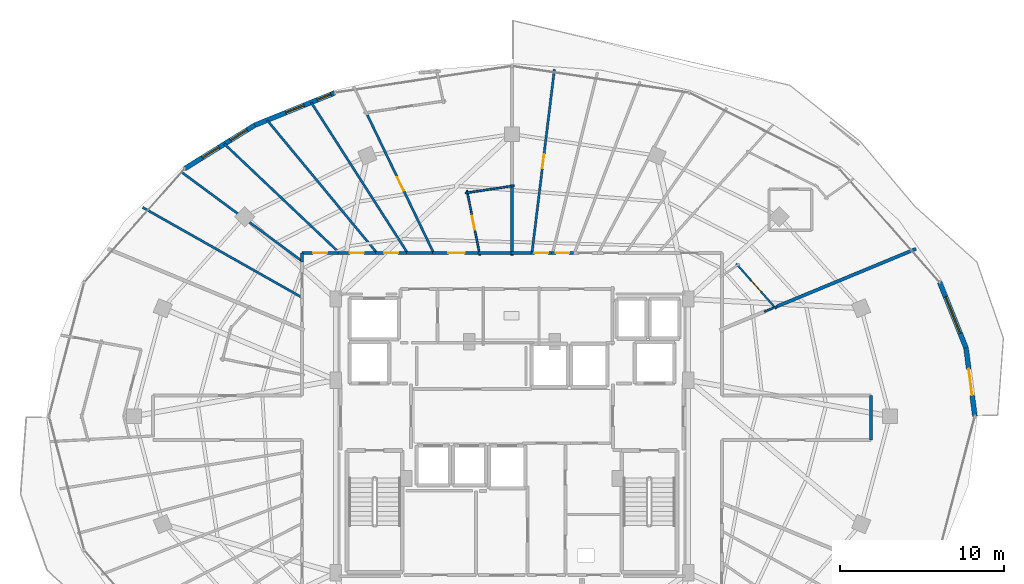
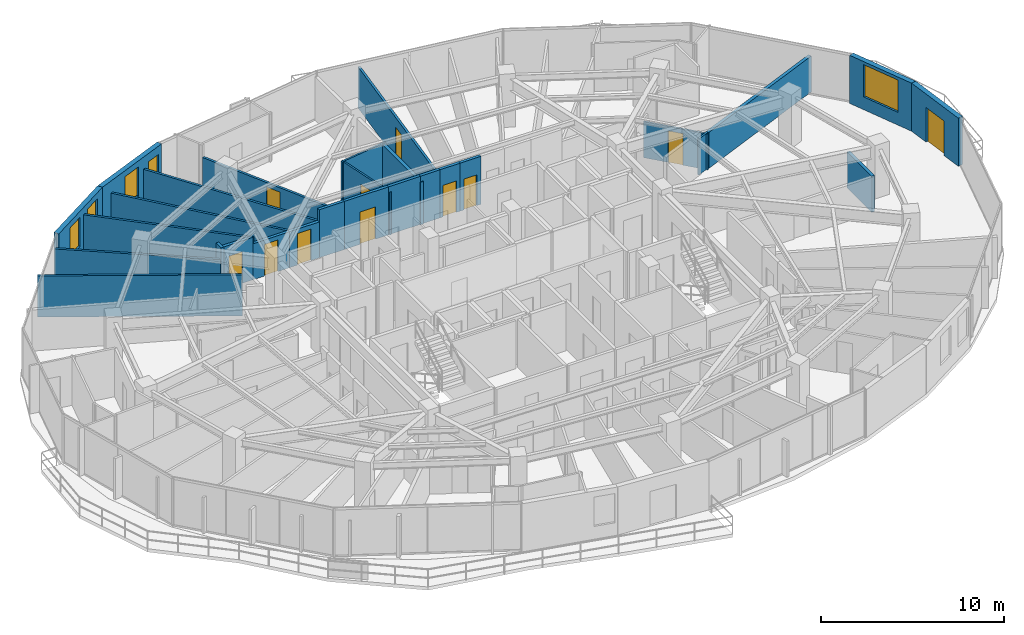
# One storey, part 29 of 33: 28 walls, 11 doors, 5 windows, 16 openings.
"""IFC4 building model written with IfcOpenShell, lengths in metres."""

import ifcopenshell
import ifcopenshell.guid

model = None  # the IFC model being written
_history = None  # IfcOwnerHistory: only IFC2X3 demands one
_inside = {}  # id of a spatial element -> (the spatial element, [elements in it])
_under = {}  # id of a project, library or spatial element -> (it, [spatial elements below it])
_declared = {}  # id of a project -> (the project, [libraries it declares])
_typed = {}  # id of a type object -> (the type object, [elements of that type])
_made_of = {}  # id of a material, layer set ... -> (it, [elements and type objects made of it])


def new_model(schema):
    """Start an empty IFC model of exactly this schema.

    Asked for "IFC4X3", IfcOpenShell would pick the latest addendum, in which some entities
    have other attributes; the version numbers below select the first issue.
    IFC2X3 requires an IfcOwnerHistory on every rooted entity: one is made here for all.
    """
    global model, _history
    if schema == "IFC4X3":
        model = ifcopenshell.file(schema_version=(4, 3, 0, 0))
    else:
        model = ifcopenshell.file(schema=schema)
    _inside.clear()
    _under.clear()
    _declared.clear()
    _typed.clear()
    _made_of.clear()
    _history = None
    if model.schema == "IFC2X3":
        org = make("IfcOrganization", Name="unknown")
        user = make(
            "IfcPersonAndOrganization",
            ThePerson=make("IfcPerson", FamilyName="unknown"),
            TheOrganization=org,
        )
        app = make(
            "IfcApplication",
            ApplicationDeveloper=org,
            Version="unknown",
            ApplicationFullName="unknown",
            ApplicationIdentifier="unknown",
        )
        _history = make(
            "IfcOwnerHistory",
            OwningUser=user,
            OwningApplication=app,
            ChangeAction="ADDED",
            CreationDate=0,
        )
    return model


def make(cls, **values):
    """One entity of the class cls with the attributes given. An attribute that is None is left unset."""
    return model.create_entity(
        cls, **{name: value for name, value in values.items() if value is not None}
    )


def rooted(cls, **values):
    """An entity with a GlobalId (a new one), such as an element, a storey or a relation."""
    return make(cls, GlobalId=ifcopenshell.guid.new(), OwnerHistory=_history, **values)


def si_unit(unit_type, name, prefix=None):
    """IfcSIUnit, for example si_unit("LENGTHUNIT", "METRE", prefix="MILLI")."""
    return make("IfcSIUnit", UnitType=unit_type, Prefix=prefix, Name=name)


def assignment(units):
    """IfcUnitAssignment: the units of a project."""
    return None if units is None else make("IfcUnitAssignment", Units=units)


def point(xyz):
    """IfcCartesianPoint."""
    return None if xyz is None else make("IfcCartesianPoint", Coordinates=xyz)


def direction(xyz):
    """IfcDirection."""
    return None if xyz is None else make("IfcDirection", DirectionRatios=xyz)


def frame(location, z_axis=None, x_axis=None):
    """IfcAxis2Placement3D, a coordinate frame: its origin and axes. An axis left out is left unset."""
    return make(
        "IfcAxis2Placement3D",
        Location=point(location),
        Axis=direction(z_axis),
        RefDirection=direction(x_axis),
    )


def frame_2d(location, x_axis=None):
    """IfcAxis2Placement2D, a coordinate frame in the plane: its origin and x axis."""
    return make(
        "IfcAxis2Placement2D", Location=point(location), RefDirection=direction(x_axis)
    )


def origin():
    """The frame at (0, 0, 0) with its axes left unset."""
    return frame((0.0, 0.0, 0.0))


def place(relative_to, where):
    """IfcLocalPlacement: puts the frame where relative to a parent placement (None: the world)."""
    return make(
        "IfcLocalPlacement", PlacementRelTo=relative_to, RelativePlacement=where
    )


def context(
    kind, dimensions, precision=None, world=None, true_north=None, identifier=None
):
    """IfcGeometricRepresentationContext, for example the 3D "Model" context."""
    return make(
        "IfcGeometricRepresentationContext",
        ContextIdentifier=identifier,
        ContextType=kind,
        CoordinateSpaceDimension=dimensions,
        Precision=precision,
        WorldCoordinateSystem=world,
        TrueNorth=true_north,
    )


def subcontext(parent, identifier, kind, view, scale=None):
    """IfcGeometricRepresentationSubContext, for example "Body" below "Model"."""
    return make(
        "IfcGeometricRepresentationSubContext",
        ContextIdentifier=identifier,
        ContextType=kind,
        ParentContext=parent,
        TargetScale=scale,
        TargetView=view,
    )


def project(units=None, contexts=None):
    """IfcProject with its units and contexts."""
    return rooted(
        "IfcProject",
        Name="project",
        RepresentationContexts=contexts,
        UnitsInContext=assignment(units),
    )


def spatial(cls, under=None, at=None, **own):
    """A site, building, storey or space (cls), placed at a placement, below another one or the project."""
    s = rooted(cls, ObjectPlacement=at, **own)
    if under is not None:
        _under.setdefault(under.id(), (under, []))[1].append(s)
    return s


def profile(cls, at=None, kind="AREA", **sizes):
    """A parametric profile (cls). Its sizes go by their IFC names, for example OverallWidth=200.0."""
    return make(cls, ProfileType=kind, Position=at, **sizes)


def rectangle(**sizes):
    """IfcRectangleProfileDef."""
    return profile("IfcRectangleProfileDef", **sizes)


def extrude(swept, where, along, depth):
    """IfcExtrudedAreaSolid: the profile swept, set in the frame where, extruded along a direction by depth."""
    return make(
        "IfcExtrudedAreaSolid",
        SweptArea=swept,
        Position=where,
        ExtrudedDirection=direction(along),
        Depth=depth,
    )


def shape(context_of_items, identifier, shape_type, items):
    """IfcShapeRepresentation: the items that make up one representation, for example the "Body"."""
    return make(
        "IfcShapeRepresentation",
        ContextOfItems=context_of_items,
        RepresentationIdentifier=identifier,
        RepresentationType=shape_type,
        Items=items,
    )


def material(Name=None, Category=None):
    """IfcMaterial."""
    return make("IfcMaterial", Name=Name, Category=Category)


def layer(
    of_material, thickness, ventilated=None, Name=None, Category=None, Priority=None
):
    """IfcMaterialLayer: one layer of a wall or slab, of a material (None: an air gap)."""
    return make(
        "IfcMaterialLayer",
        Material=of_material,
        LayerThickness=thickness,
        IsVentilated=ventilated,
        Name=Name,
        Category=Category,
        Priority=Priority,
    )


def layer_set(layers, Name=None):
    """IfcMaterialLayerSet."""
    return make("IfcMaterialLayerSet", MaterialLayers=layers, LayerSetName=Name)


def made_of(thing, what):
    """Note that an element or type object is made of a material, layer set ...; save() writes the relation."""
    if what is not None:
        _made_of.setdefault(what.id(), (what, []))[1].append(thing)
    return thing


def type_object(cls, material=None, **own):
    """A type object (cls), such as IfcWallType, which elements share."""
    return made_of(rooted(cls, **own), material)


def element(
    cls,
    number,
    at=None,
    inside=None,
    cuts=None,
    type_object=None,
    material=None,
    context=None,
    identifier="Body",
    shape_type=None,
    held_by="IfcProductDefinitionShape",
    body=None,
    shapes=None,
    **own,
):
    """One element of the class cls, such as IfcWall. Its Tag is "e" and its number.

    at: its placement. inside: the storey or other place that contains it. cuts: it is an
    opening in that element (IfcRelVoidsElement). A single representation is given by context,
    identifier, shape_type and body (its items); several are given by shapes. held_by: the class
    of the entity that holds the representations. save() writes the other relations.
    """
    e = rooted(cls, Tag="e%d" % number, ObjectPlacement=at, **own)
    if body is not None:
        shapes = [shape(context, identifier, shape_type, body)]
    if shapes is not None:
        e.Representation = make(held_by, Representations=shapes)
    if inside is not None:
        _inside.setdefault(inside.id(), (inside, []))[1].append(e)
    if cuts is not None:
        rooted(
            "IfcRelVoidsElement", RelatingBuildingElement=cuts, RelatedOpeningElement=e
        )
    if type_object is not None:
        _typed.setdefault(type_object.id(), (type_object, []))[1].append(e)
    return made_of(e, material)


def fill(opening, filler):
    """IfcRelFillsElement: the door or window that sits in an opening."""
    return rooted(
        "IfcRelFillsElement",
        RelatingOpeningElement=opening,
        RelatedBuildingElement=filler,
    )


def aggregate(whole, parts):
    """IfcRelAggregates: a whole, such as a stair, and the parts it consists of."""
    return rooted("IfcRelAggregates", RelatingObject=whole, RelatedObjects=parts)


def save(model, path):
    """Write the relations noted so far, then the file.

    IfcRelAggregates (storeys below a building ...), IfcRelContainedInSpatialStructure (elements
    in a storey), IfcRelDefinesByType, IfcRelAssociatesMaterial and IfcRelDeclares: one each for
    every whole, place, type object, material and project.
    """
    for whole, parts in _under.values():
        aggregate(whole, parts)
    for where, things in _inside.values():
        rooted(
            "IfcRelContainedInSpatialStructure",
            RelatedElements=things,
            RelatingStructure=where,
        )
    for kind, things in _typed.values():
        rooted("IfcRelDefinesByType", RelatedObjects=things, RelatingType=kind)
    for what, things in _made_of.values():
        rooted("IfcRelAssociatesMaterial", RelatedObjects=things, RelatingMaterial=what)
    for by, libraries in _declared.values():
        rooted("IfcRelDeclares", RelatingContext=by, RelatedDefinitions=libraries)
    model.write(path)


model = new_model("IFC4")

# Units and contexts
model_context = context("Model", 3, precision=1e-05, world=origin(), true_north=direction((0.0, 1.0)))
body_context = subcontext(model_context, "Body", "Model", "MODEL_VIEW")
ifc_project = project(units=[si_unit("LENGTHUNIT", "METRE"), si_unit("AREAUNIT", "SQUARE_METRE"), si_unit("VOLUMEUNIT", "CUBIC_METRE"), si_unit("PLANEANGLEUNIT", "RADIAN"), si_unit("MASSUNIT", "GRAM", prefix="KILO")], contexts=[model_context])

# Site, building, storey
site_placement = place(None, origin())
site = spatial("IfcSite", under=ifc_project, at=site_placement, CompositionType="ELEMENT")
building_placement = place(site_placement, origin())
building = spatial("IfcBuilding", under=site, at=building_placement, Name="Vorneva Point Tower", CompositionType="ELEMENT")
storey_placement = place(building_placement, frame((0.0, 0.0, 221.39990234375)))
storey = spatial("IfcBuildingStorey", under=building, at=storey_placement, Name="L60", CompositionType="ELEMENT", Elevation=221.39990234375)

# Wall, opening, door
ifc_material_1 = material(Name="Precast concrete B50 (C40/50)", Category="concrete")
ifc_layer_1 = layer(ifc_material_1, 0.300048828125)
ifc_layer_set_1 = layer_set([ifc_layer_1], Name="Precast concrete B50 (C40/50)")
wall_type_1 = type_object("IfcWallType", Name="WL-EXT-300", PredefinedType="STANDARD", material=ifc_layer_set_1)
wall_1_placement = place(storey_placement, frame((66.22998046875, 26.0, 0.0), z_axis=(0.0, 0.0, 1.0), x_axis=(-0.129147853268, 0.991625348605, 0.0)))
wall_1 = element("IfcWall", 1, at=wall_1_placement, inside=storey, type_object=wall_type_1, Name="L60 Pale-Metal Facade Spandrel Wall 01.1", PredefinedType="STANDARD", context=body_context, shape_type="SweptSolid", body=[
    extrude(rectangle(XDim=4.200439453125, YDim=0.300048828125, at=frame_2d((2.10009765625, 0.0))), origin(), (0.0, 0.0, 1.0), 3.2001953125),
])
opening_1_placement = place(wall_1_placement, frame((1.30029296875, 0.0, 0.0)))
opening_1 = element("IfcOpeningElement", 2, at=opening_1_placement, cuts=wall_1, Name="Opening BD-01", PredefinedType="OPENING", context=body_context, shape_type="SweptSolid", body=[
    extrude(rectangle(XDim=1.60009765625, YDim=2.300048828125, at=frame_2d((0.800048828125, 1.14990234375))), frame((0.0, 0.1650390625, 0.0), z_axis=(0.0, -1.0, 0.0), x_axis=(1.0, 0.0, 0.0)), (0.0, 0.0, 1.0), 0.329833984375),
])
ifc_material_2 = material(Name="Pale anodised aluminium", Category="aluminium")
door_type_1 = type_object("IfcDoorType", Name="DR-BAL-1600", OperationType="SLIDING_TO_LEFT", PredefinedType="DOOR", material=ifc_material_2)
door_1_placement = place(opening_1_placement, origin())
door_1 = element("IfcDoor", 3, at=door_1_placement, inside=storey, type_object=door_type_1, Name="L60 Balcony Terrace Access Door 01", OperationType="SLIDING_TO_LEFT", OverallHeight=2.300048828125, OverallWidth=1.60009765625, PredefinedType="DOOR", context=body_context, shape_type="SweptSolid", body=[
    extrude(rectangle(XDim=1.60009765625, YDim=2.300048828125, at=frame_2d((0.800048828125, 1.14990234375))), frame((0.0, 0.02490234375, 0.0), z_axis=(0.0, -1.0, 0.0), x_axis=(1.0, 0.0, 0.0)), (0.0, 0.0, 1.0), 0.050048828125),
])
fill(opening_1, door_1)

# Wall, opening, window
wall_2_placement = place(storey_placement, frame((65.6875, 30.165283203125, 0.0), z_axis=(0.0, 0.0, 1.0), x_axis=(-0.372268409848, 0.928125116043, 0.0)))
wall_2 = element("IfcWall", 4, at=wall_2_placement, inside=storey, type_object=wall_type_1, Name="L60 Pale-Metal Facade Spandrel Wall 01.2", PredefinedType="STANDARD", context=body_context, shape_type="SweptSolid", body=[
    extrude(rectangle(XDim=4.315185546875, YDim=0.300048828125, at=frame_2d((2.15771484375, 0.0))), origin(), (0.0, 0.0, 1.0), 3.2001953125),
])
opening_2_placement = place(wall_2_placement, frame((0.95751953125, 0.0, 0.85009765625)))
opening_2 = element("IfcOpeningElement", 5, at=opening_2_placement, cuts=wall_2, Name="Opening W-03", PredefinedType="OPENING", context=body_context, shape_type="SweptSolid", body=[
    extrude(rectangle(XDim=2.39990234375, YDim=2.14990234375, at=frame_2d((1.199951171875, 1.074951171875))), frame((0.0, 0.1650390625, 0.0), z_axis=(0.0, -1.0, 0.0), x_axis=(1.0, 0.0, 0.0)), (0.0, 0.0, 1.0), 0.329833984375),
])
ifc_material_3 = material(Name="Double low-e laminated glass IGU", Category="glass")
window_type_1 = type_object("IfcWindowType", Name="WN-RES-2400", PartitioningType="SINGLE_PANEL", PredefinedType="WINDOW", material=ifc_material_3)
window_1_placement = place(opening_2_placement, origin())
window_1 = element("IfcWindow", 6, at=window_1_placement, inside=storey, type_object=window_type_1, Name="L60 Facade Window 01", OverallHeight=2.14990234375, OverallWidth=2.39990234375, PartitioningType="SINGLE_PANEL", PredefinedType="WINDOW", context=body_context, shape_type="SweptSolid", body=[
    extrude(rectangle(XDim=2.39990234375, YDim=2.14990234375, at=frame_2d((1.199951171875, 1.074951171875))), frame((0.0, 0.030029296875, 0.0), z_axis=(0.0, -1.0, 0.0), x_axis=(1.0, 0.0, 0.0)), (0.0, 0.0, 1.0), 0.06005859375),
])
fill(opening_2, window_1)

# Wall, openings, windows
wall_3_placement = place(storey_placement, frame((27.19677734375, 45.724853515625, 0.0), z_axis=(0.0, 0.0, 1.0), x_axis=(-0.927111094334, -0.374786630981, 0.0)))
wall_3 = element("IfcWall", 7, at=wall_3_placement, inside=storey, type_object=wall_type_1, Name="L60 Pale-Metal Facade Spandrel Wall 06.1", PredefinedType="STANDARD", context=body_context, shape_type="SweptSolid", body=[
    extrude(rectangle(XDim=5.26416015625, YDim=0.300048828125, at=frame_2d((2.632080078125, 0.0))), origin(), (0.0, 0.0, 1.0), 3.2001953125),
])
opening_3_placement = place(wall_3_placement, frame((0.25830078125, 0.0, 0.85009765625)))
opening_3 = element("IfcOpeningElement", 8, at=opening_3_placement, cuts=wall_3, Name="Opening W-08", PredefinedType="OPENING", context=body_context, shape_type="SweptSolid", body=[
    extrude(rectangle(XDim=0.89990234375, YDim=1.800048828125, at=frame_2d((0.449951171875, 0.89990234375))), frame((0.0, 0.1650390625, 0.0), z_axis=(0.0, -1.0, 0.0), x_axis=(1.0, 0.0, 0.0)), (0.0, 0.0, 1.0), 0.329833984375),
])
opening_4_placement = place(wall_3_placement, frame((2.031982421875, 0.0, 0.85009765625)))
opening_4 = element("IfcOpeningElement", 9, at=opening_4_placement, cuts=wall_3, Name="Opening W-04", PredefinedType="OPENING", context=body_context, shape_type="SweptSolid", body=[
    extrude(rectangle(XDim=1.199951171875, YDim=1.949951171875, at=frame_2d((0.60009765625, 0.97509765625))), frame((0.0, 0.1650390625, 0.0), z_axis=(0.0, -1.0, 0.0), x_axis=(1.0, 0.0, 0.0)), (0.0, 0.0, 1.0), 0.329833984375),
])
window_type_2 = type_object("IfcWindowType", Name="WN-CAS-900", PartitioningType="SINGLE_PANEL", PredefinedType="WINDOW", material=ifc_material_3)
window_2_placement = place(opening_3_placement, origin())
window_2 = element("IfcWindow", 10, at=window_2_placement, inside=storey, type_object=window_type_2, Name="L60 Dwelling Vision Window 01", OverallHeight=1.800048828125, OverallWidth=0.89990234375, PartitioningType="SINGLE_PANEL", PredefinedType="WINDOW", context=body_context, shape_type="SweptSolid", body=[
    extrude(rectangle(XDim=0.89990234375, YDim=1.800048828125, at=frame_2d((0.449951171875, 0.89990234375))), frame((0.0, 0.030029296875, 0.0), z_axis=(0.0, -1.0, 0.0), x_axis=(1.0, 0.0, 0.0)), (0.0, 0.0, 1.0), 0.06005859375),
])
fill(opening_3, window_2)
window_type_3 = type_object("IfcWindowType", Name="WN-RES-1200", PartitioningType="SINGLE_PANEL", PredefinedType="WINDOW", material=ifc_material_3)
window_3_placement = place(opening_4_placement, origin())
window_3 = element("IfcWindow", 11, at=window_3_placement, inside=storey, type_object=window_type_3, Name="L60 Dwelling Vision Window 02", OverallHeight=1.949951171875, OverallWidth=1.199951171875, PartitioningType="SINGLE_PANEL", PredefinedType="WINDOW", context=body_context, shape_type="SweptSolid", body=[
    extrude(rectangle(XDim=1.199951171875, YDim=1.949951171875, at=frame_2d((0.60009765625, 0.97509765625))), frame((0.0, 0.030029296875, 0.0), z_axis=(0.0, -1.0, 0.0), x_axis=(1.0, 0.0, 0.0)), (0.0, 0.0, 1.0), 0.06005859375),
])
fill(opening_4, window_3)

wall_4_placement = place(storey_placement, frame((22.31640625, 43.751953125, 0.0), z_axis=(0.0, 0.0, 1.0), x_axis=(-0.849647657754, -0.527350791858, 0.0)))
wall_4 = element("IfcWall", 12, at=wall_4_placement, inside=storey, type_object=wall_type_1, Name="L60 Pale-Metal Facade Spandrel Wall 06.2", PredefinedType="STANDARD", context=body_context, shape_type="SweptSolid", body=[
    extrude(rectangle(XDim=5.03515625, YDim=0.300048828125, at=frame_2d((2.517578125, 0.0))), origin(), (0.0, 0.0, 1.0), 3.2001953125),
])
opening_5_placement = place(wall_4_placement, frame((0.5546875, 0.0, 0.85009765625)))
opening_5 = element("IfcOpeningElement", 13, at=opening_5_placement, cuts=wall_4, Name="Opening W-04", PredefinedType="OPENING", context=body_context, shape_type="SweptSolid", body=[
    extrude(rectangle(XDim=1.199951171875, YDim=1.949951171875, at=frame_2d((0.60009765625, 0.97509765625))), frame((0.0, 0.1650390625, 0.0), z_axis=(0.0, -1.0, 0.0), x_axis=(1.0, 0.0, 0.0)), (0.0, 0.0, 1.0), 0.329833984375),
])
opening_6_placement = place(wall_4_placement, frame((2.569091796875, 0.0, 0.85009765625)))
opening_6 = element("IfcOpeningElement", 14, at=opening_6_placement, cuts=wall_4, Name="Opening W-04", PredefinedType="OPENING", context=body_context, shape_type="SweptSolid", body=[
    extrude(rectangle(XDim=1.199951171875, YDim=1.949951171875, at=frame_2d((0.60009765625, 0.97509765625))), frame((0.0, 0.1650390625, 0.0), z_axis=(0.0, -1.0, 0.0), x_axis=(1.0, 0.0, 0.0)), (0.0, 0.0, 1.0), 0.329833984375),
])
window_4_placement = place(opening_5_placement, origin())
window_4 = element("IfcWindow", 15, at=window_4_placement, inside=storey, type_object=window_type_3, Name="L60 Dwelling Vision Window 03", OverallHeight=1.949951171875, OverallWidth=1.199951171875, PartitioningType="SINGLE_PANEL", PredefinedType="WINDOW", context=body_context, shape_type="SweptSolid", body=[
    extrude(rectangle(XDim=1.199951171875, YDim=1.949951171875, at=frame_2d((0.60009765625, 0.97509765625))), frame((0.0, 0.030029296875, 0.0), z_axis=(0.0, -1.0, 0.0), x_axis=(1.0, 0.0, 0.0)), (0.0, 0.0, 1.0), 0.06005859375),
])
fill(opening_5, window_4)
window_5_placement = place(opening_6_placement, origin())
window_5 = element("IfcWindow", 16, at=window_5_placement, inside=storey, type_object=window_type_3, Name="L60 Dwelling Vision Window 04", OverallHeight=1.949951171875, OverallWidth=1.199951171875, PartitioningType="SINGLE_PANEL", PredefinedType="WINDOW", context=body_context, shape_type="SweptSolid", body=[
    extrude(rectangle(XDim=1.199951171875, YDim=1.949951171875, at=frame_2d((0.60009765625, 0.97509765625))), frame((0.0, 0.030029296875, 0.0), z_axis=(0.0, -1.0, 0.0), x_axis=(1.0, 0.0, 0.0)), (0.0, 0.0, 1.0), 0.06005859375),
])
fill(opening_6, window_5)

# Wall, opening, door
ifc_material_4 = material(Name="Fire-rated acoustic gypsum stud partition", Category="gypsum")
ifc_layer_2 = layer(ifc_material_4, 0.110107421875)
ifc_layer_set_2 = layer_set([ifc_layer_2], Name="Fire-rated acoustic gypsum stud partition")
wall_type_2 = type_object("IfcWallType", Name="WL-PART-110", PredefinedType="PARTITIONING", material=ifc_layer_set_2)
wall_5_placement = place(storey_placement, frame((51.666259765625, 35.310791015625, 0.0), z_axis=(0.0, 0.0, 1.0), x_axis=(0.662288118602, -0.749249256228, 0.0)))
wall_5 = element("IfcWall", 17, at=wall_5_placement, inside=storey, type_object=wall_type_2, Name="L60 Interior Partition 081", PredefinedType="PARTITIONING", context=body_context, shape_type="SweptSolid", body=[
    extrude(rectangle(XDim=3.705810546875, YDim=0.110107421875, at=frame_2d((1.85302734375, 0.0))), origin(), (0.0, 0.0, 1.0), 2.39208984375),
])
opening_7_placement = place(wall_5_placement, frame((1.427978515625, 0.0, 0.0)))
opening_7 = element("IfcOpeningElement", 18, at=opening_7_placement, cuts=wall_5, Name="Opening ID-02", PredefinedType="OPENING", context=body_context, shape_type="SweptSolid", body=[
    extrude(rectangle(XDim=0.85009765625, YDim=2.10009765625, at=frame_2d((0.425048828125, 1.050048828125))), frame((0.0, 0.06982421875, 0.0), z_axis=(0.0, -1.0, 0.0), x_axis=(1.0, 0.0, 0.0)), (0.0, 0.0, 1.0), 0.139892578125),
])
ifc_material_5 = material(Name="Engineered oak fire-rated door leaf", Category="wood")
door_type_2 = type_object("IfcDoorType", Name="DR-BATH-850", OperationType="NOTDEFINED", PredefinedType="DOOR", material=ifc_material_5)
door_2_placement = place(opening_7_placement, origin())
door_2 = element("IfcDoor", 19, at=door_2_placement, inside=storey, type_object=door_type_2, Name="L60 Door Living and Dining Room L60-01 / Bathroom L60-01", OperationType="SINGLE_SWING_LEFT", OverallHeight=2.10009765625, OverallWidth=0.85009765625, PredefinedType="DOOR", context=body_context, shape_type="SweptSolid", body=[
    extrude(rectangle(XDim=0.85009765625, YDim=2.10009765625, at=frame_2d((0.425048828125, 1.050048828125))), frame((0.0, 0.02490234375, 0.0), z_axis=(0.0, -1.0, 0.0), x_axis=(1.0, 0.0, 0.0)), (0.0, 0.0, 1.0), 0.050048828125),
])
fill(opening_7, door_2)

# Wall
wall_6_placement = place(storey_placement, frame((54.1572265625, 32.692626953125, 0.0), z_axis=(0.0, 0.0, 1.0), x_axis=(-0.923731903457, -0.383039646166, 0.0)))
element("IfcWall", 20, at=wall_6_placement, inside=storey, type_object=wall_type_2, Name="L60 Interior Partition 082", PredefinedType="PARTITIONING", context=body_context, shape_type="SweptSolid", body=[
    extrude(rectangle(XDim=0.825439453125, YDim=0.110107421875, at=frame_2d((0.41259765625, 0.0))), origin(), (0.0, 0.0, 1.0), 2.39208984375),
])

# Wall, opening, door
wall_7_placement = place(storey_placement, frame((36.04150390625, 35.812744140625, 0.0), z_axis=(0.0, 0.0, 1.0), x_axis=(-0.195521857349, 0.980699343988, 0.0)))
wall_7 = element("IfcWall", 21, at=wall_7_placement, inside=storey, type_object=wall_type_2, Name="L60 Interior Partition 101", PredefinedType="PARTITIONING", context=body_context, shape_type="SweptSolid", body=[
    extrude(rectangle(XDim=4.029541015625, YDim=0.110107421875, at=frame_2d((2.0146484375, 0.0))), origin(), (0.0, 0.0, 1.0), 2.833984375),
])
opening_8_placement = place(wall_7_placement, frame((1.589599609375, 0.0, 0.0)))
opening_8 = element("IfcOpeningElement", 22, at=opening_8_placement, cuts=wall_7, Name="Opening ID-02", PredefinedType="OPENING", context=body_context, shape_type="SweptSolid", body=[
    extrude(rectangle(XDim=0.85009765625, YDim=2.10009765625, at=frame_2d((0.425048828125, 1.050048828125))), frame((0.0, 0.06982421875, 0.0), z_axis=(0.0, -1.0, 0.0), x_axis=(1.0, 0.0, 0.0)), (0.0, 0.0, 1.0), 0.139892578125),
])
door_3_placement = place(opening_8_placement, origin())
door_3 = element("IfcDoor", 23, at=door_3_placement, inside=storey, type_object=door_type_2, Name="L60 Door Living and Dining Room L60-02 / Bathroom L60-02", OperationType="SINGLE_SWING_LEFT", OverallHeight=2.10009765625, OverallWidth=0.85009765625, PredefinedType="DOOR", context=body_context, shape_type="SweptSolid", body=[
    extrude(rectangle(XDim=0.85009765625, YDim=2.10009765625, at=frame_2d((0.425048828125, 1.050048828125))), frame((0.0, 0.02490234375, 0.0), z_axis=(0.0, -1.0, 0.0), x_axis=(1.0, 0.0, 0.0)), (0.0, 0.0, 1.0), 0.050048828125),
])
fill(opening_8, door_3)

# Wall
wall_8_placement = place(storey_placement, frame((35.142578125, 39.606201171875, 0.0), z_axis=(0.0, 0.0, 1.0), x_axis=(0.988873015636, 0.148762088409, 0.0)))
element("IfcWall", 24, at=wall_8_placement, inside=storey, type_object=wall_type_2, Name="L60 Interior Partition 102", PredefinedType="PARTITIONING", context=body_context, shape_type="SweptSolid", body=[
    extrude(rectangle(XDim=3.029541015625, YDim=0.110107421875, at=frame_2d((1.5146484375, 0.0))), origin(), (0.0, 0.0, 1.0), 2.88916015625),
])

# Wall, opening, door
ifc_layer_3 = layer(ifc_material_4, 0.139892578125)
ifc_layer_set_3 = layer_set([ifc_layer_3], Name="Fire-rated acoustic gypsum stud partition")
wall_type_3 = type_object("IfcWallType", Name="WL-PART-140", PredefinedType="PARTITIONING", material=ifc_layer_set_3)
wall_9_placement = place(storey_placement, frame((40.587890625, 47.156982421875, 0.0), z_axis=(0.0, 0.0, 1.0), x_axis=(-0.121415539359, -0.992601766471, 0.0)))
wall_9 = element("IfcWall", 25, at=wall_9_placement, inside=storey, type_object=wall_type_3, Name="L60 Interior Partition 098", PredefinedType="PARTITIONING", context=body_context, shape_type="SweptSolid", body=[
    extrude(rectangle(XDim=11.29052734375, YDim=0.139892578125, at=frame_2d((5.645263671875, 0.0))), origin(), (0.0, 0.0, 1.0), 2.734130859375),
])
opening_9_placement = place(wall_9_placement, frame((5.22021484375, 0.0, 0.0)))
opening_9 = element("IfcOpeningElement", 26, at=opening_9_placement, cuts=wall_9, Name="Opening ID-02", PredefinedType="OPENING", context=body_context, shape_type="SweptSolid", body=[
    extrude(rectangle(XDim=0.85009765625, YDim=2.10009765625, at=frame_2d((0.425048828125, 1.050048828125))), frame((0.0, 0.0849609375, 0.0), z_axis=(0.0, -1.0, 0.0), x_axis=(1.0, 0.0, 0.0)), (0.0, 0.0, 1.0), 0.169677734375),
])
door_4_placement = place(opening_9_placement, origin())
door_4 = element("IfcDoor", 27, at=door_4_placement, inside=storey, type_object=door_type_2, Name="L60 Access Door Bedroom L60-01.5", OperationType="SINGLE_SWING_LEFT", OverallHeight=2.10009765625, OverallWidth=0.85009765625, PredefinedType="DOOR", context=body_context, shape_type="SweptSolid", body=[
    extrude(rectangle(XDim=0.85009765625, YDim=2.10009765625, at=frame_2d((0.425048828125, 1.050048828125))), frame((0.0, 0.02490234375, 0.0), z_axis=(0.0, -1.0, 0.0), x_axis=(1.0, 0.0, 0.0)), (0.0, 0.0, 1.0), 0.050048828125),
])
fill(opening_9, door_4)

wall_10_placement = place(storey_placement, frame((29.173583984375, 44.380859375, 0.0), z_axis=(0.0, 0.0, 1.0), x_axis=(0.432861754343, -0.901460316169, 0.0)))
wall_10 = element("IfcWall", 28, at=wall_10_placement, inside=storey, type_object=wall_type_3, Name="L60 Interior Partition 107", PredefinedType="PARTITIONING", context=body_context, shape_type="SweptSolid", body=[
    extrude(rectangle(XDim=9.3525390625, YDim=0.139892578125, at=frame_2d((4.67626953125, 0.0))), origin(), (0.0, 0.0, 1.0), 2.39208984375),
])
opening_10_placement = place(wall_10_placement, frame((4.226318359375, 0.0, 0.0)))
opening_10 = element("IfcOpeningElement", 29, at=opening_10_placement, cuts=wall_10, Name="Opening ID-01", PredefinedType="OPENING", context=body_context, shape_type="SweptSolid", body=[
    extrude(rectangle(XDim=0.89990234375, YDim=2.10009765625, at=frame_2d((0.449951171875, 1.050048828125))), frame((0.0, 0.0849609375, 0.0), z_axis=(0.0, -1.0, 0.0), x_axis=(1.0, 0.0, 0.0)), (0.0, 0.0, 1.0), 0.169677734375),
])
door_type_3 = type_object("IfcDoorType", Name="DR-ROOM-900", OperationType="NOTDEFINED", PredefinedType="DOOR", material=ifc_material_5)
door_5_placement = place(opening_10_placement, origin())
door_5 = element("IfcDoor", 30, at=door_5_placement, inside=storey, type_object=door_type_3, Name="L60 Door Living and Dining Room L60-02 / Master Bedroom L60-02.1", OperationType="SINGLE_SWING_LEFT", OverallHeight=2.10009765625, OverallWidth=0.89990234375, PredefinedType="DOOR", context=body_context, shape_type="SweptSolid", body=[
    extrude(rectangle(XDim=0.89990234375, YDim=2.10009765625, at=frame_2d((0.449951171875, 1.050048828125))), frame((0.0, 0.02490234375, 0.0), z_axis=(0.0, -1.0, 0.0), x_axis=(1.0, 0.0, 0.0)), (0.0, 0.0, 1.0), 0.050048828125),
])
fill(opening_10, door_5)

# Walls
wall_11_placement = place(storey_placement, frame((25.7490234375, 45.137939453125, 0.0), z_axis=(0.0, 0.0, 1.0), x_axis=(0.539168632786, -0.842197830335, 0.0)))
element("IfcWall", 31, at=wall_11_placement, inside=storey, type_object=wall_type_3, Name="L60 Interior Partition 108", PredefinedType="PARTITIONING", context=body_context, shape_type="SweptSolid", body=[
    extrude(rectangle(XDim=10.909423828125, YDim=0.139892578125, at=frame_2d((5.45458984375, 0.0))), origin(), (0.0, 0.0, 1.0), 2.39208984375),
])
wall_12_placement = place(storey_placement, frame((23.06591796875, 44.052001953125, 0.0), z_axis=(0.0, 0.0, 1.0), x_axis=(0.637453668746, -0.770488689211, 0.0)))
element("IfcWall", 32, at=wall_12_placement, inside=storey, type_object=wall_type_3, Name="L60 Interior Partition 109", PredefinedType="PARTITIONING", context=body_context, shape_type="SweptSolid", body=[
    extrude(rectangle(XDim=10.515380859375, YDim=0.139892578125, at=frame_2d((5.2578125, 0.0))), origin(), (0.0, 0.0, 1.0), 2.39208984375),
])
wall_13_placement = place(storey_placement, frame((20.4619140625, 42.59912109375, 0.0), z_axis=(0.0, 0.0, 1.0), x_axis=(0.726274273347, -0.687405033349, 0.0)))
element("IfcWall", 33, at=wall_13_placement, inside=storey, type_object=wall_type_3, Name="L60 Interior Partition 110", PredefinedType="PARTITIONING", context=body_context, shape_type="SweptSolid", body=[
    extrude(rectangle(XDim=9.6728515625, YDim=0.139892578125, at=frame_2d((4.83642578125, 0.0))), origin(), (0.0, 0.0, 1.0), 2.734130859375),
])
wall_14_placement = place(storey_placement, frame((17.825927734375, 40.90087890625, 0.0), z_axis=(0.0, 0.0, 1.0), x_axis=(0.804363169868, -0.594137939338, 0.0)))
element("IfcWall", 34, at=wall_14_placement, inside=storey, type_object=wall_type_3, Name="L60 Interior Partition 111", PredefinedType="PARTITIONING", context=body_context, shape_type="SweptSolid", body=[
    extrude(rectangle(XDim=9.16748046875, YDim=0.139892578125, at=frame_2d((4.583740234375, 0.0))), origin(), (0.0, 0.0, 1.0), 2.39208984375),
])
wall_15_placement = place(storey_placement, frame((15.47607421875, 38.73095703125, 0.0), z_axis=(0.0, 0.0, 1.0), x_axis=(0.870572608778, -0.49203997078, 0.0)))
element("IfcWall", 35, at=wall_15_placement, inside=storey, type_object=wall_type_3, Name="L60 Interior Partition 112", PredefinedType="PARTITIONING", context=body_context, shape_type="SweptSolid", body=[
    extrude(rectangle(XDim=11.16943359375, YDim=0.139892578125, at=frame_2d((5.584716796875, 0.0))), origin(), (0.0, 0.0, 1.0), 2.734130859375),
])

# Wall, opening, door
ifc_material_6 = material(Name="Autoclaved aerated concrete blockwork", Category="masonry")
ifc_layer_4 = layer(ifc_material_6, 0.179931640625)
ifc_layer_set_4 = layer_set([ifc_layer_4], Name="Autoclaved aerated concrete blockwork")
wall_type_4 = type_object("IfcWallType", Name="WL-PART-180", PredefinedType="PARTITIONING", material=ifc_layer_set_4)
wall_16_placement = place(storey_placement, frame((41.7451171875, 35.949951171875, 0.0), z_axis=(0.0, 0.0, 1.0), x_axis=(-1.0, 0.0, 0.0)))
wall_16 = element("IfcWall", 36, at=wall_16_placement, inside=storey, type_object=wall_type_4, Name="L60 Interior Partition 036", PredefinedType="PARTITIONING", context=body_context, shape_type="SweptSolid", body=[
    extrude(rectangle(XDim=1.3330078125, YDim=0.179931640625, at=frame_2d((0.66650390625, 0.0))), origin(), (0.0, 0.0, 1.0), 3.2001953125),
])
opening_11_placement = place(wall_16_placement, frame((0.2666015625, 0.0, 0.0)))
opening_11 = element("IfcOpeningElement", 37, at=opening_11_placement, cuts=wall_16, Name="Opening RD-01", PredefinedType="OPENING", context=body_context, shape_type="SweptSolid", body=[
    extrude(rectangle(XDim=0.800048828125, YDim=2.050048828125, at=frame_2d((0.39990234375, 1.02490234375))), frame((0.0, 0.10498046875, 0.0), z_axis=(0.0, -1.0, 0.0), x_axis=(1.0, 0.0, 0.0)), (0.0, 0.0, 1.0), 0.209716796875),
])
ifc_material_7 = material(Name="Fire-rated powder-coated steel", Category="steel")
door_type_4 = type_object("IfcDoorType", Name="DR-RSR-800", OperationType="SINGLE_SWING_LEFT", PredefinedType="DOOR", material=ifc_material_7)
door_6_placement = place(opening_11_placement, origin())
door_6 = element("IfcDoor", 38, at=door_6_placement, inside=storey, type_object=door_type_4, Name="L60 Access Door L60 Circulation Corridor", OperationType="SINGLE_SWING_RIGHT", OverallHeight=2.050048828125, OverallWidth=0.800048828125, PredefinedType="DOOR", context=body_context, shape_type="SweptSolid", body=[
    extrude(rectangle(XDim=0.800048828125, YDim=2.050048828125, at=frame_2d((0.39990234375, 1.02490234375))), frame((0.0, 0.02490234375, 0.0), z_axis=(0.0, -1.0, 0.0), x_axis=(1.0, 0.0, 0.0)), (0.0, 0.0, 1.0), 0.050048828125),
])
fill(opening_11, door_6)

wall_17_placement = place(storey_placement, frame((40.412109375, 35.949951171875, 0.0), z_axis=(0.0, 0.0, 1.0), x_axis=(-1.0, 0.0, 0.0)))
wall_17 = element("IfcWall", 39, at=wall_17_placement, inside=storey, type_object=wall_type_4, Name="L60 Interior Partition 037", PredefinedType="PARTITIONING", context=body_context, shape_type="SweptSolid", body=[
    extrude(rectangle(XDim=1.255126953125, YDim=0.179931640625, at=frame_2d((0.62744140625, 0.0))), origin(), (0.0, 0.0, 1.0), 3.2001953125),
])
opening_12_placement = place(wall_17_placement, frame((0.202392578125, 0.0, 0.0)))
opening_12 = element("IfcOpeningElement", 40, at=opening_12_placement, cuts=wall_17, Name="Opening ID-02", PredefinedType="OPENING", context=body_context, shape_type="SweptSolid", body=[
    extrude(rectangle(XDim=0.85009765625, YDim=2.10009765625, at=frame_2d((0.425048828125, 1.050048828125))), frame((0.0, 0.10498046875, 0.0), z_axis=(0.0, -1.0, 0.0), x_axis=(1.0, 0.0, 0.0)), (0.0, 0.0, 1.0), 0.209716796875),
])
door_7_placement = place(opening_12_placement, origin())
door_7 = element("IfcDoor", 41, at=door_7_placement, inside=storey, type_object=door_type_2, Name="L60 Access Door L60 Circulation Corridor", OperationType="SINGLE_SWING_LEFT", OverallHeight=2.10009765625, OverallWidth=0.85009765625, PredefinedType="DOOR", context=body_context, shape_type="SweptSolid", body=[
    extrude(rectangle(XDim=0.85009765625, YDim=2.10009765625, at=frame_2d((0.425048828125, 1.050048828125))), frame((0.0, 0.02490234375, 0.0), z_axis=(0.0, -1.0, 0.0), x_axis=(1.0, 0.0, 0.0)), (0.0, 0.0, 1.0), 0.050048828125),
])
fill(opening_12, door_7)

# Wall
wall_18_placement = place(storey_placement, frame((39.156982421875, 35.949951171875, 0.0), z_axis=(0.0, 0.0, 1.0), x_axis=(-1.0, 0.0, 0.0)))
element("IfcWall", 42, at=wall_18_placement, inside=storey, type_object=wall_type_4, Name="L60 Interior Partition 038", PredefinedType="PARTITIONING", context=body_context, shape_type="SweptSolid", body=[
    extrude(rectangle(XDim=1.217041015625, YDim=0.179931640625, at=frame_2d((0.6083984375, 0.0))), origin(), (0.0, 0.0, 1.0), 3.2001953125),
])

# Wall, opening, door
wall_19_placement = place(storey_placement, frame((36.073974609375, 35.949951171875, 0.0), z_axis=(0.0, 0.0, 1.0), x_axis=(-1.0, 0.0, 0.0)))
wall_19 = element("IfcWall", 43, at=wall_19_placement, inside=storey, type_object=wall_type_4, Name="L60 Interior Partition 039", PredefinedType="PARTITIONING", context=body_context, shape_type="SweptSolid", body=[
    extrude(rectangle(XDim=2.9189453125, YDim=0.179931640625, at=frame_2d((1.45947265625, 0.0))), origin(), (0.0, 0.0, 1.0), 3.2001953125),
])
opening_13_placement = place(wall_19_placement, frame((0.95947265625, 0.0, 0.0)))
opening_13 = element("IfcOpeningElement", 44, at=opening_13_placement, cuts=wall_19, Name="Opening UD-01", PredefinedType="OPENING", context=body_context, shape_type="SweptSolid", body=[
    extrude(rectangle(XDim=1.0, YDim=2.14990234375, at=frame_2d((0.5, 1.074951171875))), frame((0.0, 0.10498046875, 0.0), z_axis=(0.0, -1.0, 0.0), x_axis=(1.0, 0.0, 0.0)), (0.0, 0.0, 1.0), 0.209716796875),
])
door_type_5 = type_object("IfcDoorType", Name="DR-UNIT-1000", OperationType="NOTDEFINED", PredefinedType="DOOR", material=ifc_material_5)
door_8_placement = place(opening_13_placement, origin())
door_8 = element("IfcDoor", 45, at=door_8_placement, inside=storey, type_object=door_type_5, Name="L60 Door L60 Circulation Corridor / Living and Dining Room L60-02", OperationType="SINGLE_SWING_RIGHT", OverallHeight=2.14990234375, OverallWidth=1.0, PredefinedType="DOOR", context=body_context, shape_type="SweptSolid", body=[
    extrude(rectangle(XDim=1.0, YDim=2.14990234375, at=frame_2d((0.5, 1.074951171875))), frame((0.0, 0.02490234375, 0.0), z_axis=(0.0, -1.0, 0.0), x_axis=(1.0, 0.0, 0.0)), (0.0, 0.0, 1.0), 0.050048828125),
])
fill(opening_13, door_8)

# Walls
wall_20_placement = place(storey_placement, frame((38.080078125, 35.949951171875, 0.0), z_axis=(0.0, 0.0, 1.0), x_axis=(-1.0, 0.0, 0.0)))
element("IfcWall", 46, at=wall_20_placement, inside=storey, type_object=wall_type_4, Name="L60 Interior Partition 040", PredefinedType="PARTITIONING", context=body_context, shape_type="SweptSolid", body=[
    extrude(rectangle(XDim=2.14599609375, YDim=0.179931640625, at=frame_2d((1.072998046875, 0.0))), origin(), (0.0, 0.0, 1.0), 3.2001953125),
])
wall_21_placement = place(storey_placement, frame((33.155029296875, 35.949951171875, 0.0), z_axis=(0.0, 0.0, 1.0), x_axis=(-1.0, 0.0, 0.0)))
element("IfcWall", 47, at=wall_21_placement, inside=storey, type_object=wall_type_4, Name="L60 Interior Partition 041", PredefinedType="PARTITIONING", context=body_context, shape_type="SweptSolid", body=[
    extrude(rectangle(XDim=1.594970703125, YDim=0.179931640625, at=frame_2d((0.79736328125, 0.0))), origin(), (0.0, 0.0, 1.0), 3.2001953125),
])

# Wall, opening, door
wall_22_placement = place(storey_placement, frame((31.56005859375, 35.949951171875, 0.0), z_axis=(0.0, 0.0, 1.0), x_axis=(-1.0, 0.0, 0.0)))
wall_22 = element("IfcWall", 48, at=wall_22_placement, inside=storey, type_object=wall_type_4, Name="L60 Interior Partition 042", PredefinedType="PARTITIONING", context=body_context, shape_type="SweptSolid", body=[
    extrude(rectangle(XDim=1.869140625, YDim=0.179931640625, at=frame_2d((0.9345703125, 0.0))), origin(), (0.0, 0.0, 1.0), 2.39208984375),
])
opening_14_placement = place(wall_22_placement, frame((0.509521484375, 0.0, 0.0)))
opening_14 = element("IfcOpeningElement", 49, at=opening_14_placement, cuts=wall_22, Name="Opening ID-02", PredefinedType="OPENING", context=body_context, shape_type="SweptSolid", body=[
    extrude(rectangle(XDim=0.85009765625, YDim=2.10009765625, at=frame_2d((0.425048828125, 1.050048828125))), frame((0.0, 0.10498046875, 0.0), z_axis=(0.0, -1.0, 0.0), x_axis=(1.0, 0.0, 0.0)), (0.0, 0.0, 1.0), 0.209716796875),
])
door_9_placement = place(opening_14_placement, origin())
door_9 = element("IfcDoor", 50, at=door_9_placement, inside=storey, type_object=door_type_2, Name="L60 Access Door L60 Circulation Corridor", OperationType="SINGLE_SWING_RIGHT", OverallHeight=2.10009765625, OverallWidth=0.85009765625, PredefinedType="DOOR", context=body_context, shape_type="SweptSolid", body=[
    extrude(rectangle(XDim=0.85009765625, YDim=2.10009765625, at=frame_2d((0.425048828125, 1.050048828125))), frame((0.0, 0.02490234375, 0.0), z_axis=(0.0, -1.0, 0.0), x_axis=(1.0, 0.0, 0.0)), (0.0, 0.0, 1.0), 0.050048828125),
])
fill(opening_14, door_9)

wall_23_placement = place(storey_placement, frame((29.69091796875, 35.949951171875, 0.0), z_axis=(0.0, 0.0, 1.0), x_axis=(-1.0, 0.0, 0.0)))
wall_23 = element("IfcWall", 51, at=wall_23_placement, inside=storey, type_object=wall_type_4, Name="L60 Interior Partition 043", PredefinedType="PARTITIONING", context=body_context, shape_type="SweptSolid", body=[
    extrude(rectangle(XDim=2.291015625, YDim=0.179931640625, at=frame_2d((1.1455078125, 0.0))), origin(), (0.0, 0.0, 1.0), 2.39208984375),
])
opening_15_placement = place(wall_23_placement, frame((0.720458984375, 0.0, 0.0)))
opening_15 = element("IfcOpeningElement", 52, at=opening_15_placement, cuts=wall_23, Name="Opening ID-02", PredefinedType="OPENING", context=body_context, shape_type="SweptSolid", body=[
    extrude(rectangle(XDim=0.85009765625, YDim=2.10009765625, at=frame_2d((0.425048828125, 1.050048828125))), frame((0.0, 0.10498046875, 0.0), z_axis=(0.0, -1.0, 0.0), x_axis=(1.0, 0.0, 0.0)), (0.0, 0.0, 1.0), 0.209716796875),
])
door_10_placement = place(opening_15_placement, origin())
door_10 = element("IfcDoor", 53, at=door_10_placement, inside=storey, type_object=door_type_2, Name="L60 Access Door L60 Circulation Corridor", OperationType="SINGLE_SWING_LEFT", OverallHeight=2.10009765625, OverallWidth=0.85009765625, PredefinedType="DOOR", context=body_context, shape_type="SweptSolid", body=[
    extrude(rectangle(XDim=0.85009765625, YDim=2.10009765625, at=frame_2d((0.425048828125, 1.050048828125))), frame((0.0, 0.02490234375, 0.0), z_axis=(0.0, -1.0, 0.0), x_axis=(1.0, 0.0, 0.0)), (0.0, 0.0, 1.0), 0.050048828125),
])
fill(opening_15, door_10)

wall_24_placement = place(storey_placement, frame((27.39990234375, 35.949951171875, 0.0), z_axis=(0.0, 0.0, 1.0), x_axis=(-1.0, 0.0, 0.0)))
wall_24 = element("IfcWall", 54, at=wall_24_placement, inside=storey, type_object=wall_type_4, Name="L60 Interior Partition 044", PredefinedType="PARTITIONING", context=body_context, shape_type="SweptSolid", body=[
    extrude(rectangle(XDim=2.199951171875, YDim=0.179931640625, at=frame_2d((1.10009765625, 0.0))), origin(), (0.0, 0.0, 1.0), 2.833984375),
])
opening_16_placement = place(wall_24_placement, frame((0.675048828125, 0.0, 0.0)))
opening_16 = element("IfcOpeningElement", 55, at=opening_16_placement, cuts=wall_24, Name="Opening ID-02", PredefinedType="OPENING", context=body_context, shape_type="SweptSolid", body=[
    extrude(rectangle(XDim=0.85009765625, YDim=2.10009765625, at=frame_2d((0.425048828125, 1.050048828125))), frame((0.0, 0.10498046875, 0.0), z_axis=(0.0, -1.0, 0.0), x_axis=(1.0, 0.0, 0.0)), (0.0, 0.0, 1.0), 0.209716796875),
])
door_11_placement = place(opening_16_placement, origin())
door_11 = element("IfcDoor", 56, at=door_11_placement, inside=storey, type_object=door_type_2, Name="L60 Access Door L60 Circulation Corridor", OperationType="SINGLE_SWING_RIGHT", OverallHeight=2.10009765625, OverallWidth=0.85009765625, PredefinedType="DOOR", context=body_context, shape_type="SweptSolid", body=[
    extrude(rectangle(XDim=0.85009765625, YDim=2.10009765625, at=frame_2d((0.425048828125, 1.050048828125))), frame((0.0, 0.02490234375, 0.0), z_axis=(0.0, -1.0, 0.0), x_axis=(1.0, 0.0, 0.0)), (0.0, 0.0, 1.0), 0.050048828125),
])
fill(opening_16, door_11)

# Walls
wall_25_placement = place(storey_placement, frame((25.199951171875, 35.949951171875, 0.0), z_axis=(0.0, 0.0, 1.0), x_axis=(0.0, -1.0, 0.0)))
element("IfcWall", 57, at=wall_25_placement, inside=storey, type_object=wall_type_4, Name="L60 Interior Partition 045", PredefinedType="PARTITIONING", context=body_context, shape_type="SweptSolid", body=[
    extrude(rectangle(XDim=0.555908203125, YDim=0.179931640625, at=frame_2d((0.27783203125, 0.0))), origin(), (0.0, 0.0, 1.0), 3.2001953125),
])
wall_26_placement = place(storey_placement, frame((59.89990234375, 24.550048828125, 0.0), z_axis=(0.0, 0.0, 1.0), x_axis=(0.0, 1.0, 0.0)))
element("IfcWall", 58, at=wall_26_placement, inside=storey, type_object=wall_type_4, Name="L60 Interior Partition 077", PredefinedType="PARTITIONING", context=body_context, shape_type="SweptSolid", body=[
    extrude(rectangle(XDim=2.699951171875, YDim=0.179931640625, at=frame_2d((1.35009765625, 0.0))), origin(), (0.0, 0.0, 1.0), 2.39208984375),
])
ifc_layer_5 = layer(ifc_material_6, 0.199951171875)
ifc_layer_set_5 = layer_set([ifc_layer_5], Name="Autoclaved aerated concrete blockwork")
wall_type_5 = type_object("IfcWallType", Name="WL-PART-200", PredefinedType="PARTITIONING", material=ifc_layer_set_5)
wall_27_placement = place(storey_placement, frame((54.157470703125, 32.6923828125, 0.0), z_axis=(0.0, 0.0, 1.0), x_axis=(0.923874230192, 0.382696233045, 0.0)))
element("IfcWall", 59, at=wall_27_placement, inside=storey, type_object=wall_type_5, Name="L60 Interior Partition 092", PredefinedType="PARTITIONING", context=body_context, shape_type="SweptSolid", body=[
    extrude(rectangle(XDim=9.181396484375, YDim=0.199951171875, at=frame_2d((4.5908203125, 0.0))), origin(), (0.0, 0.0, 1.0), 2.39208984375),
])
wall_28_placement = place(storey_placement, frame((38.0, 40.114990234375, 0.0), z_axis=(0.0, 0.0, 1.0), x_axis=(0.0, -1.0, 0.0)))
element("IfcWall", 60, at=wall_28_placement, inside=storey, type_object=wall_type_5, Name="L60 Interior Partition 100", PredefinedType="PARTITIONING", context=body_context, shape_type="SweptSolid", body=[
    extrude(rectangle(XDim=4.304931640625, YDim=0.199951171875, at=frame_2d((2.15234375, 0.0))), origin(), (0.0, 0.0, 1.0), 2.833984375),
])

save(model, "model.ifc")
